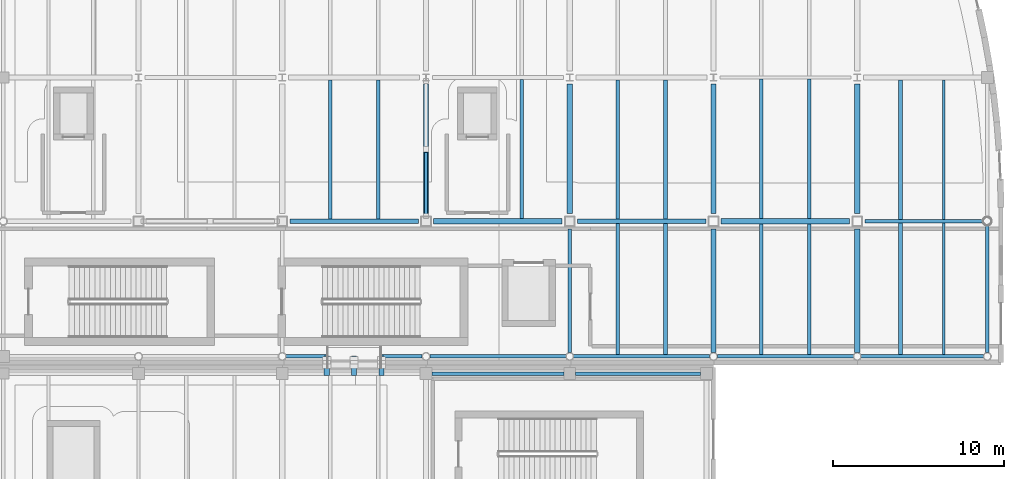
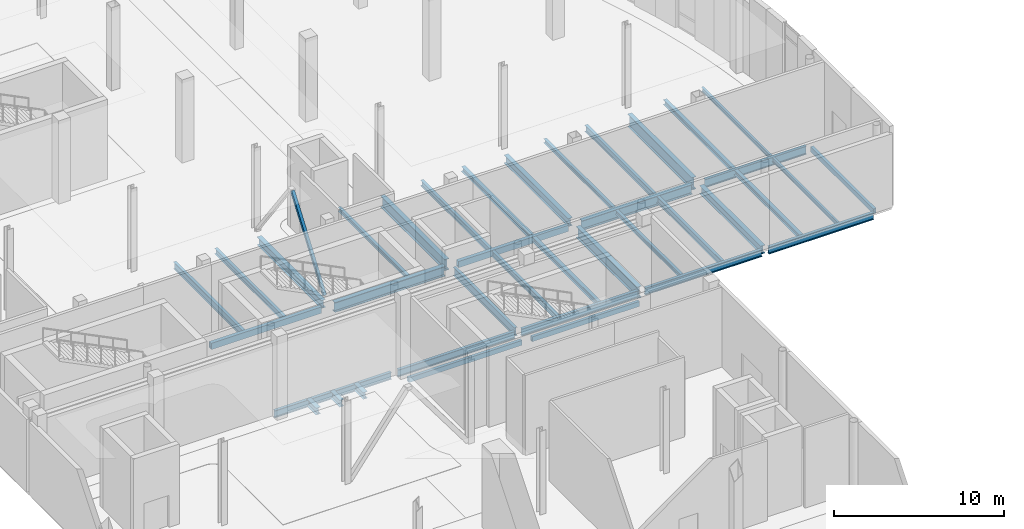
# One storey, part 28 of 85: 38 beams, 1 member.
"""IFC4 building model written with IfcOpenShell, lengths in metres."""

from ifc_helpers import new_model, si_unit, direction, frame, origin, origin_2d, place, context, subcontext, project, spatial, hollow_rectangle, i_section, extrude, material, material_profile, profile_set, type_object, element, save


model = new_model("IFC4")

# Units and contexts
model_context = context("Model", 3, precision=1e-05, world=origin(), true_north=direction((0.0, 1.0)))
body_context = subcontext(model_context, "Body", "Model", "MODEL_VIEW")
ifc_project = project(units=[si_unit("LENGTHUNIT", "METRE"), si_unit("AREAUNIT", "SQUARE_METRE"), si_unit("VOLUMEUNIT", "CUBIC_METRE"), si_unit("PLANEANGLEUNIT", "RADIAN"), si_unit("MASSUNIT", "GRAM", prefix="KILO"), si_unit("THERMODYNAMICTEMPERATUREUNIT", "KELVIN")], contexts=[model_context])

# Site, building, storey
site_placement = place(None, origin())
site = spatial("IfcSite", under=ifc_project, at=site_placement, CompositionType="ELEMENT")
building_placement = place(site_placement, origin())
building = spatial("IfcBuilding", under=site, at=building_placement, Name="Lustrewick Department Store", CompositionType="ELEMENT")
storey_placement = place(building_placement, origin())
storey = spatial("IfcBuildingStorey", under=building, at=storey_placement, Name="L01", CompositionType="ELEMENT", Elevation=0.0)

# Beams
ifc_material_1 = material(Name="Structural steel Q355B", Category="steel")
ifc_material_profile_1 = material_profile(ifc_material_1, i_section(OverallWidth=0.199951171875, OverallDepth=0.5, WebThickness=0.010009765625, FlangeThickness=0.01611328125, FilletRadius=0.01611328125, at=origin_2d()), Name="HN 500x200x10x16")
ifc_profile_set_1 = profile_set([ifc_material_profile_1], Name="Structural steel Q355B")
beam_type_1 = type_object("IfcBeamType", Name="B01", PredefinedType="JOIST", material=ifc_profile_set_1)
beam_1_placement = place(storey_placement, frame((128.800048828125, 58.925048828125, -0.52001953125), z_axis=(0.0, 1.0, 0.0), x_axis=(-1.0, 0.0, 0.0)))
element("IfcBeam", 1, at=beam_1_placement, inside=storey, type_object=beam_type_1, Name="L01 V4 Secondary Joist B01", PredefinedType="JOIST", context=body_context, shape_type="SweptSolid", body=[
    extrude(i_section(OverallWidth=0.199951171875, OverallDepth=0.5, WebThickness=0.010009765625, FlangeThickness=0.01611328125, FilletRadius=0.01611328125, at=origin_2d()), origin(), (0.0, 0.0, 1.0), 8.1240234375),
])
ifc_material_profile_2 = material_profile(ifc_material_1, i_section(OverallWidth=0.198974609375, OverallDepth=0.446044921875, WebThickness=0.008056640625, FlangeThickness=0.011962890625, FilletRadius=0.01611328125, at=origin_2d()), Name="HN 446x199x8x12")
ifc_profile_set_2 = profile_set([ifc_material_profile_2], Name="Structural steel Q355B")
beam_type_2 = type_object("IfcBeamType", Name="B04", PredefinedType="JOIST", material=ifc_profile_set_2)
beam_2_placement = place(storey_placement, frame((156.800048828125, 51.00048828125, -0.492919921875), z_axis=(0.0, 1.0, 0.0), x_axis=(-1.0, 0.0, 0.0)))
element("IfcBeam", 2, at=beam_2_placement, inside=storey, type_object=beam_type_2, Name="L01 V4 Secondary Joist B04", PredefinedType="JOIST", context=body_context, shape_type="SweptSolid", body=[
    extrude(i_section(OverallWidth=0.198974609375, OverallDepth=0.446044921875, WebThickness=0.008056640625, FlangeThickness=0.011962890625, FilletRadius=0.01611328125, at=origin_2d()), origin(), (0.0, 0.0, 1.0), 7.6484375),
])
beam_3_placement = place(storey_placement, frame((156.800048828125, 58.950927734375, -0.492919921875), z_axis=(0.0, 1.0, 0.0), x_axis=(-1.0, 0.0, 0.0)))
element("IfcBeam", 3, at=beam_3_placement, inside=storey, type_object=beam_type_2, Name="L01 V4 Secondary Joist B04", PredefinedType="JOIST", context=body_context, shape_type="SweptSolid", body=[
    extrude(i_section(OverallWidth=0.198974609375, OverallDepth=0.446044921875, WebThickness=0.008056640625, FlangeThickness=0.011962890625, FilletRadius=0.01611328125, at=origin_2d()), origin(), (0.0, 0.0, 1.0), 8.149658203125),
])
ifc_material_profile_3 = material_profile(ifc_material_1, i_section(OverallWidth=0.199951171875, OverallDepth=0.39990234375, WebThickness=0.008056640625, FlangeThickness=0.012939453125, FilletRadius=0.013916015625, at=origin_2d()), Name="HN 400x200x8x13")
ifc_profile_set_3 = profile_set([ifc_material_profile_3], Name="Structural steel Q355B")
beam_type_3 = type_object("IfcBeamType", Name="B05", PredefinedType="JOIST", material=ifc_profile_set_3)
beam_4_placement = place(storey_placement, frame((145.60009765625, 51.00048828125, -0.469970703125), z_axis=(0.0, 1.0, 0.0), x_axis=(-1.0, 0.0, 0.0)))
element("IfcBeam", 4, at=beam_4_placement, inside=storey, type_object=beam_type_3, Name="L01 V4 Secondary Joist B05", PredefinedType="JOIST", context=body_context, shape_type="SweptSolid", body=[
    extrude(i_section(OverallWidth=0.199951171875, OverallDepth=0.39990234375, WebThickness=0.008056640625, FlangeThickness=0.012939453125, FilletRadius=0.013916015625, at=origin_2d()), origin(), (0.0, 0.0, 1.0), 7.674560546875),
])
for number, where, z_axis, x_axis, name in (
    (5, (131.60009765625, 58.925048828125, -0.469970703125), (0.0, 1.0, 0.0), (-1.0, 0.0, 0.0), "L01 V4 Secondary Joist B05"),
    (6, (145.60009765625, 58.925048828125, -0.469970703125), (0.0, 1.0, 0.0), (-1.0, 0.0, 0.0), "L01 V4 Secondary Joist B05"),
):
    element("IfcBeam", number, at=place(storey_placement, frame(where, z_axis=z_axis, x_axis=x_axis)), inside=storey, type_object=beam_type_3, Name=name, PredefinedType="JOIST", context=body_context, shape_type="SweptSolid", body=[
        extrude(i_section(OverallWidth=0.199951171875, OverallDepth=0.39990234375, WebThickness=0.008056640625, FlangeThickness=0.012939453125, FilletRadius=0.013916015625, at=origin_2d()), origin(), (0.0, 0.0, 1.0), 8.1240234375),
    ])
ifc_material_profile_4 = material_profile(ifc_material_1, i_section(OverallWidth=0.25, OverallDepth=0.340087890625, WebThickness=0.009033203125, FlangeThickness=0.013916015625, FilletRadius=0.01611328125, at=origin_2d()), Name="HM 340x250x9x14")
ifc_profile_set_4 = profile_set([ifc_material_profile_4], Name="Structural steel Q355B")
beam_type_4 = type_object("IfcBeamType", Name="B08", PredefinedType="JOIST", material=ifc_profile_set_4)
beam_5_placement = place(storey_placement, frame((148.39990234375, 51.00048828125, -0.43994140625), z_axis=(0.0, 1.0, 0.0), x_axis=(-1.0, 0.0, 0.0)))
element("IfcBeam", 7, at=beam_5_placement, inside=storey, type_object=beam_type_4, Name="L01 V4 Secondary Joist B08", PredefinedType="JOIST", context=body_context, shape_type="SweptSolid", body=[
    extrude(i_section(OverallWidth=0.25, OverallDepth=0.340087890625, WebThickness=0.009033203125, FlangeThickness=0.013916015625, FilletRadius=0.01611328125, at=origin_2d()), origin(), (0.0, 0.0, 1.0), 7.674560546875),
])
beam_6_placement = place(storey_placement, frame((162.13330078125, 51.00048828125, -0.43994140625), z_axis=(0.0, 1.0, 0.0), x_axis=(-1.0, 0.0, 0.0)))
element("IfcBeam", 8, at=beam_6_placement, inside=storey, type_object=beam_type_4, Name="L01 V4 Secondary Joist B08", PredefinedType="JOIST", context=body_context, shape_type="SweptSolid", body=[
    extrude(i_section(OverallWidth=0.25, OverallDepth=0.340087890625, WebThickness=0.009033203125, FlangeThickness=0.013916015625, FilletRadius=0.01611328125, at=origin_2d()), origin(), (0.0, 0.0, 1.0), 7.699951171875),
])
beam_7_placement = place(storey_placement, frame((148.39990234375, 58.925048828125, -0.43994140625), z_axis=(0.0, 1.0, 0.0), x_axis=(-1.0, 0.0, 0.0)))
element("IfcBeam", 9, at=beam_7_placement, inside=storey, type_object=beam_type_4, Name="L01 V4 Secondary Joist B08", PredefinedType="JOIST", context=body_context, shape_type="SweptSolid", body=[
    extrude(i_section(OverallWidth=0.25, OverallDepth=0.340087890625, WebThickness=0.009033203125, FlangeThickness=0.013916015625, FilletRadius=0.01611328125, at=origin_2d()), origin(), (0.0, 0.0, 1.0), 8.1240234375),
])
beam_8_placement = place(storey_placement, frame((162.13330078125, 58.8994140625, -0.43994140625), z_axis=(0.0, 1.0, 0.0), x_axis=(-1.0, 0.0, 0.0)))
element("IfcBeam", 10, at=beam_8_placement, inside=storey, type_object=beam_type_4, Name="L01 V4 Secondary Joist B08", PredefinedType="JOIST", context=body_context, shape_type="SweptSolid", body=[
    extrude(i_section(OverallWidth=0.25, OverallDepth=0.340087890625, WebThickness=0.009033203125, FlangeThickness=0.013916015625, FilletRadius=0.01611328125, at=origin_2d()), origin(), (0.0, 0.0, 1.0), 8.149658203125),
])
ifc_material_profile_5 = material_profile(ifc_material_1, i_section(OverallWidth=0.14892578125, OverallDepth=0.298095703125, WebThickness=0.005615234375, FlangeThickness=0.008056640625, FilletRadius=0.011962890625, at=origin_2d()), Name="HN 298x149x5.5x8")
ifc_profile_set_5 = profile_set([ifc_material_profile_5], Name="Structural steel Q355B")
beam_type_5 = type_object("IfcBeamType", Name="B12", PredefinedType="JOIST", material=ifc_profile_set_5)
beam_9_placement = place(storey_placement, frame((164.666748046875, 51.00048828125, -0.4189453125), z_axis=(0.0, 1.0, 0.0), x_axis=(-1.0, 0.0, 0.0)))
element("IfcBeam", 11, at=beam_9_placement, inside=storey, type_object=beam_type_5, Name="L01 V4 Secondary Joist B12", PredefinedType="JOIST", context=body_context, shape_type="SweptSolid", body=[
    extrude(i_section(OverallWidth=0.14892578125, OverallDepth=0.298095703125, WebThickness=0.005615234375, FlangeThickness=0.008056640625, FilletRadius=0.011962890625, at=origin_2d()), origin(), (0.0, 0.0, 1.0), 7.699951171875),
])
beam_10_placement = place(storey_placement, frame((164.666748046875, 58.8994140625, -0.4189453125), z_axis=(0.0, 1.0, 0.0), x_axis=(-1.0, 0.0, 0.0)))
element("IfcBeam", 12, at=beam_10_placement, inside=storey, type_object=beam_type_5, Name="L01 V4 Secondary Joist B12", PredefinedType="JOIST", context=body_context, shape_type="SweptSolid", body=[
    extrude(i_section(OverallWidth=0.14892578125, OverallDepth=0.298095703125, WebThickness=0.005615234375, FlangeThickness=0.008056640625, FilletRadius=0.011962890625, at=origin_2d()), origin(), (0.0, 0.0, 1.0), 8.149658203125),
])
ifc_material_profile_6 = material_profile(ifc_material_1, i_section(OverallWidth=0.199951171875, OverallDepth=0.2939453125, WebThickness=0.008056640625, FlangeThickness=0.011962890625, FilletRadius=0.013916015625, at=origin_2d()), Name="HM 294x200x8x12")
ifc_profile_set_6 = profile_set([ifc_material_profile_6], Name="Structural steel Q355B")
beam_type_6 = type_object("IfcBeamType", Name="B13", PredefinedType="JOIST", material=ifc_profile_set_6)
beam_11_placement = place(storey_placement, frame((154.0, 51.00048828125, -0.4169921875), z_axis=(0.0, 1.0, 0.0), x_axis=(-1.0, 0.0, 0.0)))
element("IfcBeam", 13, at=beam_11_placement, inside=storey, type_object=beam_type_6, Name="L01 V4 Secondary Joist B13", PredefinedType="JOIST", context=body_context, shape_type="SweptSolid", body=[
    extrude(i_section(OverallWidth=0.199951171875, OverallDepth=0.2939453125, WebThickness=0.008056640625, FlangeThickness=0.011962890625, FilletRadius=0.013916015625, at=origin_2d()), origin(), (0.0, 0.0, 1.0), 7.6484375),
])
beam_12_placement = place(storey_placement, frame((140.0, 58.950927734375, -0.4169921875), z_axis=(0.0, 1.0, 0.0), x_axis=(-1.0, 0.0, 0.0)))
element("IfcBeam", 14, at=beam_12_placement, inside=storey, type_object=beam_type_6, Name="L01 V4 Secondary Joist B13", PredefinedType="JOIST", context=body_context, shape_type="SweptSolid", body=[
    extrude(i_section(OverallWidth=0.199951171875, OverallDepth=0.2939453125, WebThickness=0.008056640625, FlangeThickness=0.011962890625, FilletRadius=0.013916015625, at=origin_2d()), origin(), (0.0, 0.0, 1.0), 8.1240234375),
])
beam_13_placement = place(storey_placement, frame((154.0, 58.950927734375, -0.4169921875), z_axis=(0.0, 1.0, 0.0), x_axis=(-1.0, 0.0, 0.0)))
element("IfcBeam", 15, at=beam_13_placement, inside=storey, type_object=beam_type_6, Name="L01 V4 Secondary Joist B13", PredefinedType="JOIST", context=body_context, shape_type="SweptSolid", body=[
    extrude(i_section(OverallWidth=0.199951171875, OverallDepth=0.2939453125, WebThickness=0.008056640625, FlangeThickness=0.011962890625, FilletRadius=0.013916015625, at=origin_2d()), origin(), (0.0, 0.0, 1.0), 8.149658203125),
])

# Member
ifc_material_profile_7 = material_profile(ifc_material_1, hollow_rectangle(XDim=0.199951171875, YDim=0.199951171875, WallThickness=0.010009765625, at=origin_2d()), Name="SHS 200x200x10")
ifc_profile_set_7 = profile_set([ifc_material_profile_7], Name="Structural steel Q355B")
member_type = type_object("IfcMemberType", Name="BR09", PredefinedType="BRACE", material=ifc_profile_set_7)
member_placement = place(storey_placement, frame((134.39990234375, 59.10009765625, 0.14990234375), z_axis=(0.0, 0.586673514412, 0.809823553305), x_axis=(-1.0, 0.0, 0.0)))
element("IfcMember", 16, at=member_placement, inside=storey, type_object=member_type, Name="L01 V4 Chevron Brace BR09", PredefinedType="BRACE", context=body_context, shape_type="SweptSolid", body=[
    extrude(hollow_rectangle(XDim=0.199951171875, YDim=0.199951171875, WallThickness=0.010009765625, at=origin_2d()), origin(), (0.0, 0.0, 1.0), 6.476806640625),
])

# Beams
ifc_material_2 = material(Name="Structural steel Q355C", Category="steel")
ifc_material_profile_8 = material_profile(ifc_material_2, i_section(OverallWidth=0.299072265625, OverallDepth=0.889892578125, WebThickness=0.014892578125, FlangeThickness=0.02294921875, FilletRadius=0.02392578125, at=origin_2d()), Name="HN 890x299x15x23")
ifc_profile_set_8 = profile_set([ifc_material_profile_8], Name="Structural steel Q355C")
beam_type_7 = type_object("IfcBeamType", Name="G03", PredefinedType="BEAM", material=ifc_profile_set_8)
beam_14_placement = place(storey_placement, frame((159.60009765625, 59.25, -0.715087890625), z_axis=(0.0, 1.0, 0.0), x_axis=(-1.0, 0.0, 0.0)))
element("IfcBeam", 17, at=beam_14_placement, inside=storey, type_object=beam_type_7, Name="L01 V4 Girder G03", PredefinedType="BEAM", context=body_context, shape_type="SweptSolid", body=[
    extrude(i_section(OverallWidth=0.299072265625, OverallDepth=0.889892578125, WebThickness=0.014892578125, FlangeThickness=0.02294921875, FilletRadius=0.02392578125, at=origin_2d()), origin(), (0.0, 0.0, 1.0), 7.574951171875),
])
ifc_material_profile_9 = material_profile(ifc_material_2, i_section(OverallWidth=0.302001953125, OverallDepth=0.80810546875, WebThickness=0.01611328125, FlangeThickness=0.030029296875, FilletRadius=0.02197265625, at=origin_2d()), Name="HN 808x302x16x30")
ifc_profile_set_9 = profile_set([ifc_material_profile_9], Name="Structural steel Q355C")
beam_type_8 = type_object("IfcBeamType", Name="G04", PredefinedType="BEAM", material=ifc_profile_set_9)
beam_15_placement = place(storey_placement, frame((142.800048828125, 59.25, -0.674072265625), z_axis=(0.0, 1.0, 0.0), x_axis=(-1.0, 0.0, 0.0)))
element("IfcBeam", 18, at=beam_15_placement, inside=storey, type_object=beam_type_8, Name="L01 V4 Girder G04", PredefinedType="BEAM", context=body_context, shape_type="SweptSolid", body=[
    extrude(i_section(OverallWidth=0.302001953125, OverallDepth=0.80810546875, WebThickness=0.01611328125, FlangeThickness=0.030029296875, FilletRadius=0.02197265625, at=origin_2d()), origin(), (0.0, 0.0, 1.0), 7.574951171875),
])
beam_16_placement = place(storey_placement, frame((151.199951171875, 51.12841796875, -0.674072265625), z_axis=(0.0, 1.0, 0.0), x_axis=(-1.0, 0.0, 0.0)))
element("IfcBeam", 19, at=beam_16_placement, inside=storey, type_object=beam_type_8, Name="L01 V4 Girder G04", PredefinedType="BEAM", context=body_context, shape_type="SweptSolid", body=[
    extrude(i_section(OverallWidth=0.302001953125, OverallDepth=0.80810546875, WebThickness=0.01611328125, FlangeThickness=0.030029296875, FilletRadius=0.02197265625, at=origin_2d()), origin(), (0.0, 0.0, 1.0), 7.2216796875),
])
ifc_material_profile_10 = material_profile(ifc_material_2, i_section(OverallWidth=0.302001953125, OverallDepth=0.7080078125, WebThickness=0.014892578125, FlangeThickness=0.028076171875, FilletRadius=0.02001953125, at=origin_2d()), Name="HN 708x302x15x28")
ifc_profile_set_10 = profile_set([ifc_material_profile_10], Name="Structural steel Q355C")
beam_type_9 = type_object("IfcBeamType", Name="G07", PredefinedType="BEAM", material=ifc_profile_set_10)
for number, where, z_axis, x_axis, name in (
    (20, (134.85009765625, 58.800048828125, -0.6240234375), (1.0, 0.0, 0.0), (0.0, 1.0, 0.0), "L01 V4 Girder G07"),
    (21, (151.64990234375, 58.800048828125, -0.6240234375), (1.0, 0.0, 0.0), (0.0, 1.0, 0.0), "L01 V4 Girder G07"),
):
    element("IfcBeam", number, at=place(storey_placement, frame(where, z_axis=z_axis, x_axis=x_axis)), inside=storey, type_object=beam_type_9, Name=name, PredefinedType="BEAM", context=body_context, shape_type="SweptSolid", body=[
        extrude(i_section(OverallWidth=0.302001953125, OverallDepth=0.7080078125, WebThickness=0.014892578125, FlangeThickness=0.028076171875, FilletRadius=0.02001953125, at=origin_2d()), origin(), (0.0, 0.0, 1.0), 7.5),
    ])
ifc_material_profile_11 = material_profile(ifc_material_1, i_section(OverallWidth=0.300048828125, OverallDepth=0.58203125, WebThickness=0.011962890625, FlangeThickness=0.01708984375, FilletRadius=0.02392578125, at=origin_2d()), Name="HM 582x300x12x17")
ifc_profile_set_11 = profile_set([ifc_material_profile_11], Name="Structural steel Q355B")
beam_type_10 = type_object("IfcBeamType", Name="G12", PredefinedType="BEAM", material=ifc_profile_set_11)
for number, where, z_axis, x_axis, name in (
    (22, (134.39990234375, 59.25, -0.56103515625), (0.0, 1.0, 0.0), (-1.0, 0.0, 0.0), "L01 V4 Girder G12"),
    (23, (151.199951171875, 59.25, -0.56103515625), (0.0, 1.0, 0.0), (-1.0, 0.0, 0.0), "L01 V4 Girder G12"),
):
    element("IfcBeam", number, at=place(storey_placement, frame(where, z_axis=z_axis, x_axis=x_axis)), inside=storey, type_object=beam_type_10, Name=name, PredefinedType="BEAM", context=body_context, shape_type="SweptSolid", body=[
        extrude(i_section(OverallWidth=0.300048828125, OverallDepth=0.58203125, WebThickness=0.011962890625, FlangeThickness=0.01708984375, FilletRadius=0.02392578125, at=origin_2d()), origin(), (0.0, 0.0, 1.0), 7.574951171875),
    ])
beam_17_placement = place(storey_placement, frame((159.60009765625, 51.12841796875, -0.56103515625), z_axis=(0.0, 1.0, 0.0), x_axis=(-1.0, 0.0, 0.0)))
element("IfcBeam", 24, at=beam_17_placement, inside=storey, type_object=beam_type_10, Name="L01 V4 Girder G12", PredefinedType="BEAM", context=body_context, shape_type="SweptSolid", body=[
    extrude(i_section(OverallWidth=0.300048828125, OverallDepth=0.58203125, WebThickness=0.011962890625, FlangeThickness=0.01708984375, FilletRadius=0.02392578125, at=origin_2d()), origin(), (0.0, 0.0, 1.0), 7.2216796875),
])
ifc_material_profile_12 = material_profile(ifc_material_1, i_section(OverallWidth=0.200927734375, OverallDepth=0.60595703125, WebThickness=0.011962890625, FlangeThickness=0.02001953125, FilletRadius=0.01806640625, at=origin_2d()), Name="HN 606x201x12x20")
ifc_profile_set_12 = profile_set([ifc_material_profile_12], Name="Structural steel Q355B")
beam_type_11 = type_object("IfcBeamType", Name="G13", PredefinedType="BEAM", material=ifc_profile_set_12)
beam_18_placement = place(storey_placement, frame((142.800048828125, 51.12841796875, -0.572998046875), z_axis=(0.0, 1.0, 0.0), x_axis=(-1.0, 0.0, 0.0)))
element("IfcBeam", 25, at=beam_18_placement, inside=storey, type_object=beam_type_11, Name="L01 V4 Girder G13", PredefinedType="BEAM", context=body_context, shape_type="SweptSolid", body=[
    extrude(i_section(OverallWidth=0.200927734375, OverallDepth=0.60595703125, WebThickness=0.011962890625, FlangeThickness=0.02001953125, FilletRadius=0.01806640625, at=origin_2d()), origin(), (0.0, 0.0, 1.0), 7.2216796875),
])
ifc_material_profile_13 = material_profile(ifc_material_1, i_section(OverallWidth=0.198974609375, OverallDepth=0.595947265625, WebThickness=0.010009765625, FlangeThickness=0.014892578125, FilletRadius=0.01806640625, at=origin_2d()), Name="HN 596x199x10x15")
ifc_profile_set_13 = profile_set([ifc_material_profile_13], Name="Structural steel Q355B")
beam_type_12 = type_object("IfcBeamType", Name="G15", PredefinedType="BEAM", material=ifc_profile_set_13)
beam_19_placement = place(storey_placement, frame((160.050048828125, 58.800048828125, -0.568115234375), z_axis=(1.0, 0.0, 0.0), x_axis=(0.0, 1.0, 0.0)))
element("IfcBeam", 26, at=beam_19_placement, inside=storey, type_object=beam_type_12, Name="L01 V4 Girder G15", PredefinedType="BEAM", context=body_context, shape_type="SweptSolid", body=[
    extrude(i_section(OverallWidth=0.198974609375, OverallDepth=0.595947265625, WebThickness=0.010009765625, FlangeThickness=0.014892578125, FilletRadius=0.01806640625, at=origin_2d()), origin(), (0.0, 0.0, 1.0), 6.89599609375),
])
ifc_material_profile_14 = material_profile(ifc_material_1, i_section(OverallWidth=0.300048828125, OverallDepth=0.488037109375, WebThickness=0.010986328125, FlangeThickness=0.01806640625, FilletRadius=0.02197265625, at=origin_2d()), Name="HM 488x300x11x18")
ifc_profile_set_14 = profile_set([ifc_material_profile_14], Name="Structural steel Q355B")
beam_type_13 = type_object("IfcBeamType", Name="G16", PredefinedType="BEAM", material=ifc_profile_set_14)
for number, where, z_axis, x_axis, name in (
    (27, (128.60009765625, 49.800048828125, -0.4990234375), (0.0, 1.0, 0.0), (-1.0, 0.0, 0.0), "L01 Skybridge SB34 Girder 1"),
    (28, (131.800048828125, 49.800048828125, -0.4990234375), (0.0, 1.0, 0.0), (-1.0, 0.0, 0.0), "L01 Skybridge SB34 Girder 2"),
    (29, (130.199951171875, 49.800048828125, -0.4990234375), (0.0, 1.0, 0.0), (-1.0, 0.0, 0.0), "L01 Skybridge SB34 Girder 3"),
):
    element("IfcBeam", number, at=place(storey_placement, frame(where, z_axis=z_axis, x_axis=x_axis)), inside=storey, type_object=beam_type_13, Name=name, PredefinedType="BEAM", context=body_context, shape_type="SweptSolid", body=[
        extrude(i_section(OverallWidth=0.300048828125, OverallDepth=0.488037109375, WebThickness=0.010986328125, FlangeThickness=0.01806640625, FilletRadius=0.02197265625, at=origin_2d()), origin(), (0.0, 0.0, 1.0), 1.139892578125),
    ])
ifc_material_profile_15 = material_profile(ifc_material_2, hollow_rectangle(XDim=0.25, YDim=0.449951171875, WallThickness=0.013916015625, at=origin_2d()), Name="RHS 450x250x14")
ifc_profile_set_15 = profile_set([ifc_material_profile_15], Name="Structural steel Q355C")
beam_type_14 = type_object("IfcBeamType", Name="G18", PredefinedType="BEAM", material=ifc_profile_set_15)
for number, where, z_axis, x_axis, name in (
    (30, (126.449951171875, 58.800048828125, -0.4951171875), (1.0, 0.0, 0.0), (0.0, 1.0, 0.0), "L01 V4 Girder G18"),
    (31, (143.25, 58.800048828125, -0.4951171875), (1.0, 0.0, 0.0), (0.0, 1.0, 0.0), "L01 V4 Girder G18"),
):
    element("IfcBeam", number, at=place(storey_placement, frame(where, z_axis=z_axis, x_axis=x_axis)), inside=storey, type_object=beam_type_14, Name=name, PredefinedType="BEAM", context=body_context, shape_type="SweptSolid", body=[
        extrude(hollow_rectangle(XDim=0.25, YDim=0.449951171875, WallThickness=0.013916015625, at=origin_2d()), origin(), (0.0, 0.0, 1.0), 7.5),
    ])
ifc_material_profile_16 = material_profile(ifc_material_1, i_section(OverallWidth=0.200927734375, OverallDepth=0.506103515625, WebThickness=0.010986328125, FlangeThickness=0.01904296875, FilletRadius=0.01611328125, at=origin_2d()), Name="HN 506x201x11x19")
ifc_profile_set_16 = profile_set([ifc_material_profile_16], Name="Structural steel Q355B")
beam_type_15 = type_object("IfcBeamType", Name="SP01", PredefinedType="SPANDREL", material=ifc_profile_set_16)
beam_20_placement = place(storey_placement, frame((126.228515625, 50.89990234375, -0.52294921875), z_axis=(1.0, 0.0, 0.0), x_axis=(0.0, 1.0, 0.0)))
element("IfcBeam", 32, at=beam_20_placement, inside=storey, type_object=beam_type_15, Name="L01 V4 Girder SP01", PredefinedType="SPANDREL", context=body_context, shape_type="SweptSolid", body=[
    extrude(i_section(OverallWidth=0.200927734375, OverallDepth=0.506103515625, WebThickness=0.010986328125, FlangeThickness=0.01904296875, FilletRadius=0.01611328125, at=origin_2d()), origin(), (0.0, 0.0, 1.0), 7.94287109375),
])
beam_21_placement = place(storey_placement, frame((134.62841796875, 50.89990234375, -0.52294921875), z_axis=(1.0, 0.0, 0.0), x_axis=(0.0, 1.0, 0.0)))
element("IfcBeam", 33, at=beam_21_placement, inside=storey, type_object=beam_type_15, Name="L01 V4 Girder SP01", PredefinedType="SPANDREL", context=body_context, shape_type="SweptSolid", body=[
    extrude(i_section(OverallWidth=0.200927734375, OverallDepth=0.506103515625, WebThickness=0.010986328125, FlangeThickness=0.01904296875, FilletRadius=0.01611328125, at=origin_2d()), origin(), (0.0, 0.0, 1.0), 7.943115234375),
])
beam_22_placement = place(storey_placement, frame((143.028564453125, 50.89990234375, -0.52294921875), z_axis=(1.0, 0.0, 0.0), x_axis=(0.0, 1.0, 0.0)))
element("IfcBeam", 34, at=beam_22_placement, inside=storey, type_object=beam_type_15, Name="L01 V4 Girder SP01", PredefinedType="SPANDREL", context=body_context, shape_type="SweptSolid", body=[
    extrude(i_section(OverallWidth=0.200927734375, OverallDepth=0.506103515625, WebThickness=0.010986328125, FlangeThickness=0.01904296875, FilletRadius=0.01611328125, at=origin_2d()), origin(), (0.0, 0.0, 1.0), 7.94287109375),
])
beam_23_placement = place(storey_placement, frame((151.428466796875, 50.89990234375, -0.52294921875), z_axis=(1.0, 0.0, 0.0), x_axis=(0.0, 1.0, 0.0)))
element("IfcBeam", 35, at=beam_23_placement, inside=storey, type_object=beam_type_15, Name="L01 V4 Girder SP01", PredefinedType="SPANDREL", context=body_context, shape_type="SweptSolid", body=[
    extrude(i_section(OverallWidth=0.200927734375, OverallDepth=0.506103515625, WebThickness=0.010986328125, FlangeThickness=0.01904296875, FilletRadius=0.01611328125, at=origin_2d()), origin(), (0.0, 0.0, 1.0), 7.943115234375),
])
beam_24_placement = place(storey_placement, frame((159.82861328125, 50.89990234375, -0.52294921875), z_axis=(1.0, 0.0, 0.0), x_axis=(0.0, 1.0, 0.0)))
element("IfcBeam", 36, at=beam_24_placement, inside=storey, type_object=beam_type_15, Name="L01 V4 Girder SP01", PredefinedType="SPANDREL", context=body_context, shape_type="SweptSolid", body=[
    extrude(i_section(OverallWidth=0.200927734375, OverallDepth=0.506103515625, WebThickness=0.010986328125, FlangeThickness=0.01904296875, FilletRadius=0.01611328125, at=origin_2d()), origin(), (0.0, 0.0, 1.0), 7.142822265625),
])
ifc_material_profile_17 = material_profile(ifc_material_2, hollow_rectangle(XDim=0.199951171875, YDim=0.35009765625, WallThickness=0.011962890625, at=origin_2d()), Name="RHS 350x200x12")
ifc_profile_set_17 = profile_set([ifc_material_profile_17], Name="Structural steel Q355C")
beam_type_16 = type_object("IfcBeamType", Name="SP03", PredefinedType="SPANDREL", material=ifc_profile_set_17)
beam_25_placement = place(storey_placement, frame((134.75, 49.89990234375, -0.445068359375), z_axis=(1.0, 0.0, 0.0), x_axis=(0.0, 1.0, 0.0)))
element("IfcBeam", 37, at=beam_25_placement, inside=storey, type_object=beam_type_16, Name="L01 V3 Girder SP03", PredefinedType="SPANDREL", context=body_context, shape_type="SweptSolid", body=[
    extrude(hollow_rectangle(XDim=0.199951171875, YDim=0.35009765625, WallThickness=0.011962890625, at=origin_2d()), origin(), (0.0, 0.0, 1.0), 7.699951171875),
])
beam_26_placement = place(storey_placement, frame((143.14990234375, 49.89990234375, -0.445068359375), z_axis=(1.0, 0.0, 0.0), x_axis=(0.0, 1.0, 0.0)))
element("IfcBeam", 38, at=beam_26_placement, inside=storey, type_object=beam_type_16, Name="L01 V3 Girder SP03", PredefinedType="SPANDREL", context=body_context, shape_type="SweptSolid", body=[
    extrude(hollow_rectangle(XDim=0.199951171875, YDim=0.35009765625, WallThickness=0.011962890625, at=origin_2d()), origin(), (0.0, 0.0, 1.0), 7.300048828125),
])
beam_27_placement = place(storey_placement, frame((167.199951171875, 51.12841796875, -0.445068359375), z_axis=(0.0, 1.0, 0.0), x_axis=(-1.0, 0.0, 0.0)))
element("IfcBeam", 39, at=beam_27_placement, inside=storey, type_object=beam_type_16, Name="L01 V4 Girder SP03", PredefinedType="SPANDREL", context=body_context, shape_type="SweptSolid", body=[
    extrude(hollow_rectangle(XDim=0.199951171875, YDim=0.35009765625, WallThickness=0.011962890625, at=origin_2d()), origin(), (0.0, 0.0, 1.0), 7.41748046875),
])

save(model, "model.ifc")
